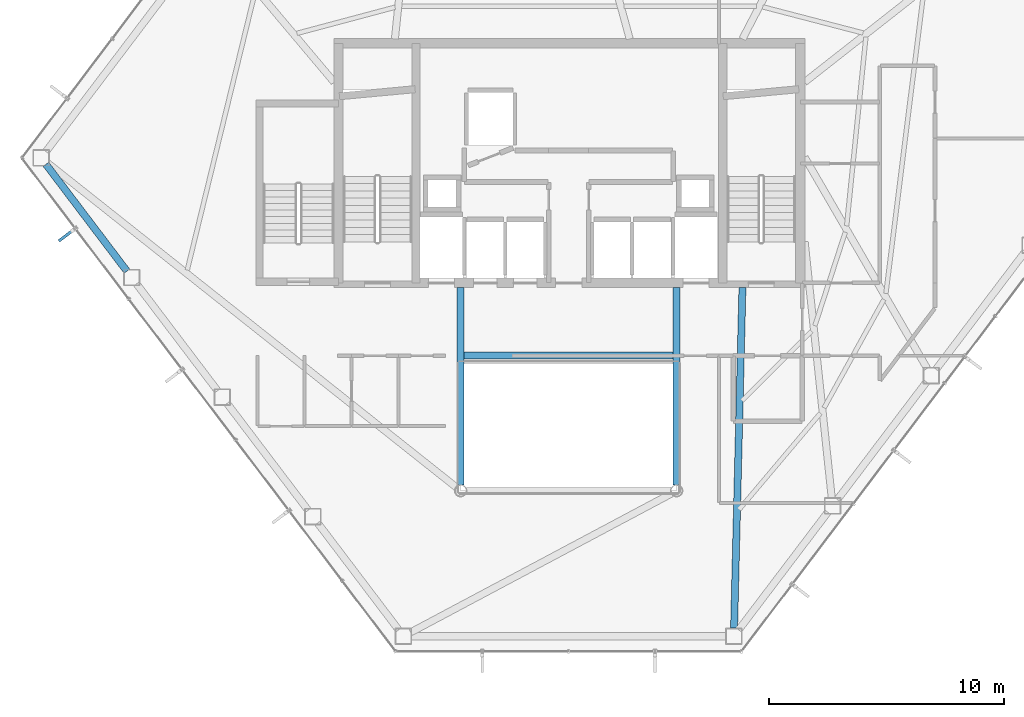
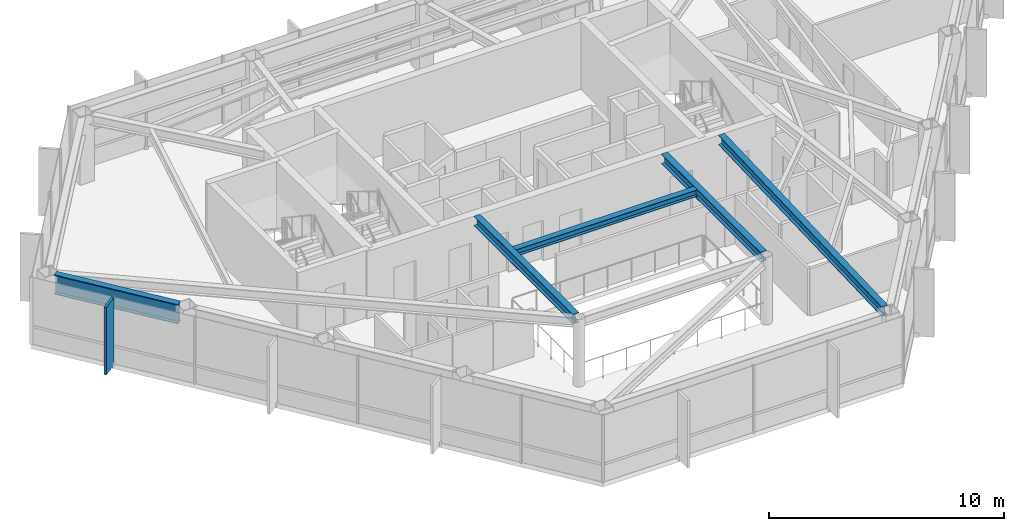
# One storey, part 9 of 27: 5 beams, 1 member, 1 element without a shape of its own.
"""IFC4 building model written with IfcOpenShell, lengths in metres."""

from ifc_helpers import new_model, si_unit, direction, frame, origin, origin_2d, place, context, subcontext, project, spatial, rectangle, i_section, extrude, material, layer, layer_set, material_profile, profile_set, type_object, element, aggregate, save


model = new_model("IFC4")

# Units and contexts
model_context = context("Model", 3, precision=1e-05, world=origin(), true_north=direction((0.0, 1.0)))
body_context = subcontext(model_context, "Body", "Model", "MODEL_VIEW")
ifc_project = project(units=[si_unit("LENGTHUNIT", "METRE"), si_unit("AREAUNIT", "SQUARE_METRE"), si_unit("VOLUMEUNIT", "CUBIC_METRE"), si_unit("PLANEANGLEUNIT", "RADIAN"), si_unit("MASSUNIT", "GRAM", prefix="KILO")], contexts=[model_context])

# Site, building, storey
site_placement = place(None, origin())
site = spatial("IfcSite", under=ifc_project, at=site_placement, CompositionType="ELEMENT")
building_placement = place(site_placement, origin())
building = spatial("IfcBuilding", under=site, at=building_placement, Name="Zarrinselat Tower", CompositionType="ELEMENT")
storey_placement = place(building_placement, frame((0.0, 0.0, 175.780029296875)))
storey = spatial("IfcBuildingStorey", under=building, at=storey_placement, Name="L43", CompositionType="ELEMENT", Elevation=175.780029296875)

# Beams
ifc_material_1 = material(Name="Steel S355J2", Category="steel")
ifc_material_profile_1 = material_profile(ifc_material_1, i_section(OverallWidth=0.300048828125, OverallDepth=0.35009765625, WebThickness=0.010009765625, FlangeThickness=0.017578125, at=origin_2d()), Name="HEA 360")
ifc_profile_set_1 = profile_set([ifc_material_profile_1], Name="Steel S355J2")
beam_type_1 = type_object("IfcBeamType", Name="BM-HEA360", PredefinedType="LINTEL", material=ifc_profile_set_1)
beam_1_placement = place(storey_placement, frame((33.93994140625, 30.14990234375, 3.324951171875), z_axis=(1.0, 0.0, 0.0), x_axis=(0.0, 1.0, 0.0)))
element("IfcBeam", 1, at=beam_1_placement, inside=storey, type_object=beam_type_1, Name="L43 Lift Lobby Ceiling Beam", PredefinedType="LINTEL", context=body_context, shape_type="SweptSolid", body=[
    extrude(i_section(OverallWidth=0.300048828125, OverallDepth=0.35009765625, WebThickness=0.010009765625, FlangeThickness=0.017578125, at=origin_2d()), origin(), (0.0, 0.0, 1.0), 8.920166015625),
])
ifc_material_2 = material(Name="Steel S355J2", Category="steel")
ifc_material_profile_2 = material_profile(ifc_material_2, i_section(OverallWidth=0.300048828125, OverallDepth=0.5, WebThickness=0.014404296875, FlangeThickness=0.028076171875, at=origin_2d()), Name="HEB 500")
ifc_profile_set_2 = profile_set([ifc_material_profile_2], Name="Steel S355J2")
beam_type_2 = type_object("IfcBeamType", Name="BM-HEB500", PredefinedType="BEAM", material=ifc_profile_set_2)
for number, where, z_axis, x_axis, name in (
    (2, (33.800048828125, 24.639892578125, 3.25), (0.0, 1.0, 0.0), (-1.0, 0.0, 0.0), "L43 Atrium Edge Beam W"),
    (3, (43.0, 24.639892578125, 3.25), (0.0, 1.0, 0.0), (-1.0, 0.0, 0.0), "L43 Atrium Edge Beam E"),
):
    element("IfcBeam", number, at=place(storey_placement, frame(where, z_axis=z_axis, x_axis=x_axis)), inside=storey, type_object=beam_type_2, Name=name, PredefinedType="BEAM", context=body_context, shape_type="SweptSolid", body=[
        extrude(i_section(OverallWidth=0.300048828125, OverallDepth=0.5, WebThickness=0.014404296875, FlangeThickness=0.028076171875, at=origin_2d()), origin(), (0.0, 0.0, 1.0), 8.420166015625),
    ])
beam_2_placement = place(storey_placement, frame((45.444091796875, 18.55712890625, 3.25), z_axis=(0.024536412531, 0.999698936911, 0.0), x_axis=(-0.999698936911, 0.024536412531, 0.0)))
element("IfcBeam", 4, at=beam_2_placement, inside=storey, type_object=beam_type_2, Name="L43 Radial Primary Girder RG11", PredefinedType="BEAM", context=body_context, shape_type="SweptSolid", body=[
    extrude(i_section(OverallWidth=0.300048828125, OverallDepth=0.5, WebThickness=0.014404296875, FlangeThickness=0.028076171875, at=origin_2d()), origin(), (0.0, 0.0, 1.0), 14.50732421875),
])
ifc_material_3 = material(Name="Steel S460M", Category="steel")
ifc_material_profile_3 = material_profile(ifc_material_3, i_section(OverallWidth=0.302001953125, OverallDepth=1.008056640625, WebThickness=0.02099609375, FlangeThickness=0.0400390625, at=origin_2d()), Name="HEM 1000")
ifc_profile_set_3 = profile_set([ifc_material_profile_3], Name="Steel S460M")
beam_type_3 = type_object("IfcBeamType", Name="BM-HEM1000", PredefinedType="BEAM", material=ifc_profile_set_3)
beam_3_placement = place(storey_placement, frame((16.1396484375, 38.30224609375, 2.995849609375), z_axis=(0.60387743851, -0.797077185258, 0.0), x_axis=(0.797077185258, 0.60387743851, 0.0)))
element("IfcBeam", 5, at=beam_3_placement, inside=storey, type_object=beam_type_3, Name="L43 Perimeter Spandrel Girder SP06", PredefinedType="BEAM", context=body_context, shape_type="SweptSolid", body=[
    extrude(i_section(OverallWidth=0.302001953125, OverallDepth=1.008056640625, WebThickness=0.02099609375, FlangeThickness=0.0400390625, at=origin_2d()), origin(), (0.0, 0.0, 1.0), 5.711669921875),
])

# Curtain wall, member
ifc_material_4 = material(Name="Extruded Aluminium Alloy EN AW-6063 T6", Category="aluminium")
ifc_layer = layer(ifc_material_4, 0.175048828125)
ifc_layer_set = layer_set([ifc_layer], Name="Extruded Aluminium Alloy EN AW-6063 T6")
curtain_wall_type = type_object("IfcCurtainWallType", Name="CWS-HTL", PredefinedType="NOTDEFINED", material=ifc_layer_set)
curtain_wall_placement = place(storey_placement, origin())
curtain_wall = element("IfcCurtainWall", 6, at=curtain_wall_placement, inside=storey, type_object=curtain_wall_type, Name="L43 Unitised Curtain Wall CW-L43-E03", PredefinedType="NOTDEFINED")
ifc_material_5 = material(Name="Honed Cream Travertine Stone", Category="masonry")
ifc_material_profile_4 = material_profile(ifc_material_5, rectangle(XDim=0.1201171875, YDim=0.85009765625, at=origin_2d()), Name="FIN 850x120")
ifc_profile_set_4 = profile_set([ifc_material_profile_4], Name="Honed Cream Travertine Stone")
member_type = type_object("IfcMemberType", Name="MEM-STONE-FIN", PredefinedType="USERDEFINED", material=ifc_profile_set_4)
member_placement = place(storey_placement, frame((17.02783203125, 35.29150390625, 0.0), z_axis=(0.0, 0.0, 1.0), x_axis=(-0.603857322892, 0.797092424748, 0.0)))
member = element("IfcMember", 7, at=member_placement, type_object=member_type, Name="L43 Stone Shading Fin CW-L43-E03-01", ObjectType="FIN", PredefinedType="USERDEFINED", context=body_context, shape_type="SweptSolid", body=[
    extrude(rectangle(XDim=0.1201171875, YDim=0.85009765625, at=origin_2d()), origin(), (0.0, 0.0, 1.0), 3.5),
])
aggregate(curtain_wall, [member])

save(model, "model.ifc")
